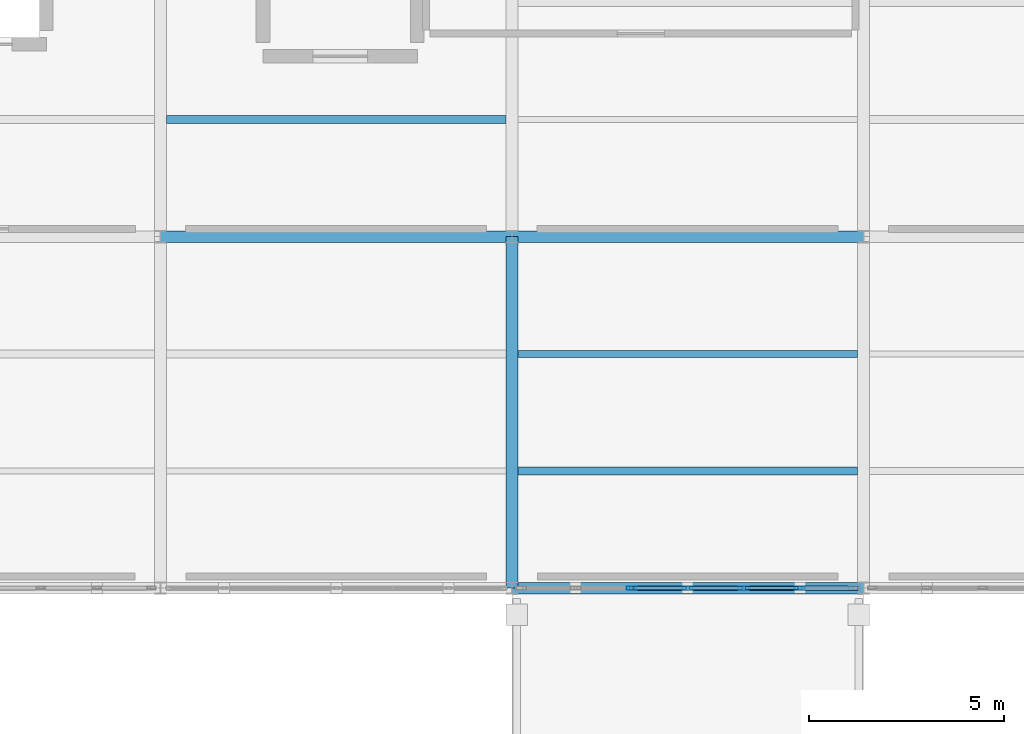
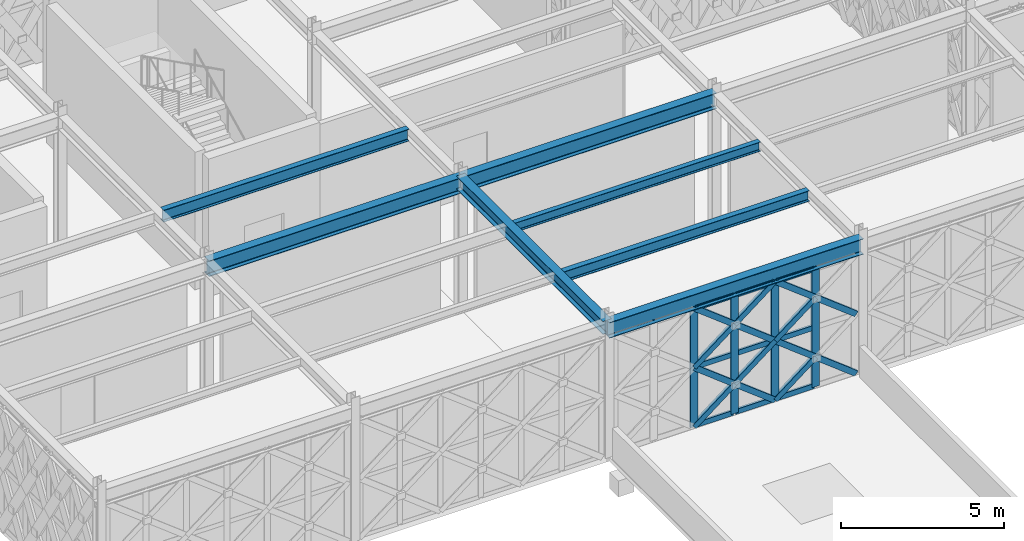
# One storey, part 104 of 155: 23 members, 7 beams, 1 element without a shape of its own.
"""IFC4 building model written with IfcOpenShell, lengths in metres."""

from ifc_helpers import new_model, si_unit, direction, frame, origin, origin_2d, place, context, subcontext, project, spatial, hollow_rectangle, i_section, extrude, material, material_profile, profile_set, type_object, element, aggregate, save


model = new_model("IFC4")

# Units and contexts
model_context = context("Model", 3, precision=1e-05, world=origin(), true_north=direction((0.0, 1.0)))
body_context = subcontext(model_context, "Body", "Model", "MODEL_VIEW")
ifc_project = project(units=[si_unit("LENGTHUNIT", "METRE"), si_unit("AREAUNIT", "SQUARE_METRE"), si_unit("VOLUMEUNIT", "CUBIC_METRE"), si_unit("PLANEANGLEUNIT", "RADIAN"), si_unit("MASSUNIT", "GRAM", prefix="KILO")], contexts=[model_context])

# Site, building, storey
site_placement = place(None, origin())
site = spatial("IfcSite", under=ifc_project, at=site_placement, CompositionType="ELEMENT")
building_placement = place(site_placement, origin())
building = spatial("IfcBuilding", under=site, at=building_placement, Name="Haizhuo Lancet Aquarium", CompositionType="ELEMENT")
storey_placement = place(building_placement, frame((0.0, 0.0, 10.800048828125)))
storey = spatial("IfcBuildingStorey", under=building, at=storey_placement, Name="L02", CompositionType="ELEMENT", Elevation=10.800048828125)

# Beams
ifc_material_1 = material(Name="Steel S355", Category="steel")
ifc_material_profile_1 = material_profile(ifc_material_1, i_section(OverallWidth=0.300048828125, OverallDepth=0.488037109375, WebThickness=0.010986328125, FlangeThickness=0.01806640625, FilletRadius=0.02392578125, at=origin_2d()), Name="HM 488x300x11x18")
ifc_profile_set_1 = profile_set([ifc_material_profile_1], Name="Steel S355")
beam_type_1 = type_object("IfcBeamType", Name="BM-ST-HM488", PredefinedType="BEAM", material=ifc_profile_set_1)
beam_1_placement = place(storey_placement, frame((54.0, 9.0, 4.805908203125), z_axis=(0.0, 1.0, 0.0), x_axis=(-1.0, 0.0, 0.0)))
element("IfcBeam", 1, at=beam_1_placement, inside=storey, type_object=beam_type_1, Name="L02 V7 primary girder BM-L02-V7-014", PredefinedType="BEAM", context=body_context, shape_type="SweptSolid", body=[
    extrude(i_section(OverallWidth=0.300048828125, OverallDepth=0.488037109375, WebThickness=0.010986328125, FlangeThickness=0.01806640625, FilletRadius=0.02392578125, at=origin_2d()), origin(), (0.0, 0.0, 1.0), 9.0),
])
ifc_material_profile_2 = material_profile(ifc_material_1, i_section(OverallWidth=0.300048828125, OverallDepth=0.587890625, WebThickness=0.011962890625, FlangeThickness=0.02001953125, FilletRadius=0.02587890625, at=origin_2d()), Name="HM 588x300x12x20")
ifc_profile_set_2 = profile_set([ifc_material_profile_2], Name="Steel S355")
beam_type_2 = type_object("IfcBeamType", Name="BM-ST-HM588", PredefinedType="BEAM", material=ifc_profile_set_2)
for number, where, z_axis, x_axis, name in (
    (2, (45.0, 18.0, 4.755859375), (1.0, 0.0, 0.0), (0.0, 1.0, 0.0), "L02 V7 primary girder BM-L02-V7-011"),
    (3, (54.0, 9.0, 4.755859375), (1.0, 0.0, 0.0), (0.0, 1.0, 0.0), "L02 V7 primary girder BM-L02-V7-015"),
    (4, (54.0, 18.0, 4.755859375), (1.0, 0.0, 0.0), (0.0, 1.0, 0.0), "L02 V7 primary girder BM-L02-V7-017"),
):
    element("IfcBeam", number, at=place(storey_placement, frame(where, z_axis=z_axis, x_axis=x_axis)), inside=storey, type_object=beam_type_2, Name=name, PredefinedType="BEAM", context=body_context, shape_type="SweptSolid", body=[
        extrude(i_section(OverallWidth=0.300048828125, OverallDepth=0.587890625, WebThickness=0.011962890625, FlangeThickness=0.02001953125, FilletRadius=0.02587890625, at=origin_2d()), origin(), (0.0, 0.0, 1.0), 9.0),
    ])

# Curtain wall, members
ifc_material_2 = material(Name="Aluminium 6063-T6", Category="aluminium")
curtain_wall_type = type_object("IfcCurtainWallType", Name="CWO-8610x4460", PredefinedType="NOTDEFINED", material=ifc_material_2)
curtain_wall_placement = place(storey_placement, origin())
curtain_wall = element("IfcCurtainWall", 5, at=curtain_wall_placement, inside=storey, type_object=curtain_wall_type, Name="L02 curtain wall CW-V7-L02-306", PredefinedType="NOTDEFINED")
ifc_material_profile_3 = material_profile(ifc_material_2, hollow_rectangle(XDim=0.080078125, YDim=0.260009765625, WallThickness=0.0048828125, at=origin_2d()), Name="ALU-M 80x260x5")
ifc_profile_set_3 = profile_set([ifc_material_profile_3], Name="Aluminium 6063-T6")
member_type_1 = type_object("IfcMemberType", Name="CW-MUL-3", PredefinedType="MULLION", material=ifc_profile_set_3)
member_1_placement = place(storey_placement, frame((61.3701171875, 9.0, 0.0), z_axis=(0.0, 0.0, 1.0), x_axis=(0.0, -1.0, 0.0)))
member_1 = element("IfcMember", 6, at=member_1_placement, type_object=member_type_1, Name="CWO-86x44 mullion 2", PredefinedType="MULLION", context=body_context, shape_type="SweptSolid", body=[
    extrude(hollow_rectangle(XDim=0.080078125, YDim=0.260009765625, WallThickness=0.0048828125, at=origin_2d()), origin(), (0.0, 0.0, 1.0), 4.4619140625),
])
member_2_placement = place(storey_placement, frame((59.93505859375, 9.0, 0.0), z_axis=(0.0, 0.0, 1.0), x_axis=(0.0, -1.0, 0.0)))
member_2 = element("IfcMember", 7, at=member_2_placement, type_object=member_type_1, Name="CWO-86x44 mullion 3", PredefinedType="MULLION", context=body_context, shape_type="SweptSolid", body=[
    extrude(hollow_rectangle(XDim=0.080078125, YDim=0.260009765625, WallThickness=0.0048828125, at=origin_2d()), origin(), (0.0, 0.0, 1.0), 4.4619140625),
])
member_3_placement = place(storey_placement, frame((58.5, 9.0, 0.0), z_axis=(0.0, 0.0, 1.0), x_axis=(0.0, -1.0, 0.0)))
member_3 = element("IfcMember", 8, at=member_3_placement, type_object=member_type_1, Name="CWO-86x44 mullion 4", PredefinedType="MULLION", context=body_context, shape_type="SweptSolid", body=[
    extrude(hollow_rectangle(XDim=0.080078125, YDim=0.260009765625, WallThickness=0.0048828125, at=origin_2d()), origin(), (0.0, 0.0, 1.0), 4.4619140625),
])
member_4_placement = place(storey_placement, frame((57.06494140625, 9.0, 0.0), z_axis=(0.0, 0.0, 1.0), x_axis=(0.0, -1.0, 0.0)))
member_4 = element("IfcMember", 9, at=member_4_placement, type_object=member_type_1, Name="CWO-86x44 mullion 5", PredefinedType="MULLION", context=body_context, shape_type="SweptSolid", body=[
    extrude(hollow_rectangle(XDim=0.080078125, YDim=0.260009765625, WallThickness=0.0048828125, at=origin_2d()), origin(), (0.0, 0.0, 1.0), 4.4619140625),
])
ifc_material_profile_4 = material_profile(ifc_material_2, hollow_rectangle(XDim=0.080078125, YDim=0.18994140625, WallThickness=0.0048828125, at=origin_2d()), Name="ALU-T 80x190x5")
ifc_profile_set_4 = profile_set([ifc_material_profile_4], Name="Aluminium 6063-T6")
member_type_2 = type_object("IfcMemberType", Name="CW-TRN-3", PredefinedType="NOTDEFINED", material=ifc_profile_set_4)
member_5_placement = place(storey_placement, frame((61.330078125, 9.0, 0.0400390625), z_axis=(-1.0, 0.0, 0.0), x_axis=(0.0, -1.0, 0.0)))
member_5 = element("IfcMember", 10, at=member_5_placement, type_object=member_type_2, Name="CWO-86x44 transom 2.1", ObjectType="TRANSOM", PredefinedType="USERDEFINED", context=body_context, shape_type="SweptSolid", body=[
    extrude(hollow_rectangle(XDim=0.080078125, YDim=0.18994140625, WallThickness=0.0048828125, at=origin_2d()), origin(), (0.0, 0.0, 1.0), 1.35498046875),
])
member_6_placement = place(storey_placement, frame((61.330078125, 9.0, 2.23095703125), z_axis=(-1.0, 0.0, 0.0), x_axis=(0.0, -1.0, 0.0)))
member_6 = element("IfcMember", 11, at=member_6_placement, type_object=member_type_2, Name="CWO-86x44 transom 2.2", ObjectType="TRANSOM", PredefinedType="USERDEFINED", context=body_context, shape_type="SweptSolid", body=[
    extrude(hollow_rectangle(XDim=0.080078125, YDim=0.18994140625, WallThickness=0.0048828125, at=origin_2d()), origin(), (0.0, 0.0, 1.0), 1.35498046875),
])
member_7_placement = place(storey_placement, frame((61.330078125, 9.0, 4.421875), z_axis=(-1.0, 0.0, 0.0), x_axis=(0.0, -1.0, 0.0)))
member_7 = element("IfcMember", 12, at=member_7_placement, type_object=member_type_2, Name="CWO-86x44 transom 2.3", ObjectType="TRANSOM", PredefinedType="USERDEFINED", context=body_context, shape_type="SweptSolid", body=[
    extrude(hollow_rectangle(XDim=0.080078125, YDim=0.18994140625, WallThickness=0.0048828125, at=origin_2d()), origin(), (0.0, 0.0, 1.0), 1.35498046875),
])
member_8_placement = place(storey_placement, frame((59.89501953125, 9.0, 0.0400390625), z_axis=(-1.0, 0.0, 0.0), x_axis=(0.0, -1.0, 0.0)))
member_8 = element("IfcMember", 13, at=member_8_placement, type_object=member_type_2, Name="CWO-86x44 transom 3.1", ObjectType="TRANSOM", PredefinedType="USERDEFINED", context=body_context, shape_type="SweptSolid", body=[
    extrude(hollow_rectangle(XDim=0.080078125, YDim=0.18994140625, WallThickness=0.0048828125, at=origin_2d()), origin(), (0.0, 0.0, 1.0), 1.35498046875),
])
member_9_placement = place(storey_placement, frame((59.89501953125, 9.0, 2.23095703125), z_axis=(-1.0, 0.0, 0.0), x_axis=(0.0, -1.0, 0.0)))
member_9 = element("IfcMember", 14, at=member_9_placement, type_object=member_type_2, Name="CWO-86x44 transom 3.2", ObjectType="TRANSOM", PredefinedType="USERDEFINED", context=body_context, shape_type="SweptSolid", body=[
    extrude(hollow_rectangle(XDim=0.080078125, YDim=0.18994140625, WallThickness=0.0048828125, at=origin_2d()), origin(), (0.0, 0.0, 1.0), 1.35498046875),
])
member_10_placement = place(storey_placement, frame((59.89501953125, 9.0, 4.421875), z_axis=(-1.0, 0.0, 0.0), x_axis=(0.0, -1.0, 0.0)))
member_10 = element("IfcMember", 15, at=member_10_placement, type_object=member_type_2, Name="CWO-86x44 transom 3.3", ObjectType="TRANSOM", PredefinedType="USERDEFINED", context=body_context, shape_type="SweptSolid", body=[
    extrude(hollow_rectangle(XDim=0.080078125, YDim=0.18994140625, WallThickness=0.0048828125, at=origin_2d()), origin(), (0.0, 0.0, 1.0), 1.35498046875),
])
member_11_placement = place(storey_placement, frame((58.4599609375, 9.0, 0.0400390625), z_axis=(-1.0, 0.0, 0.0), x_axis=(0.0, -1.0, 0.0)))
member_11 = element("IfcMember", 16, at=member_11_placement, type_object=member_type_2, Name="CWO-86x44 transom 4.1", ObjectType="TRANSOM", PredefinedType="USERDEFINED", context=body_context, shape_type="SweptSolid", body=[
    extrude(hollow_rectangle(XDim=0.080078125, YDim=0.18994140625, WallThickness=0.0048828125, at=origin_2d()), origin(), (0.0, 0.0, 1.0), 1.35498046875),
])
member_12_placement = place(storey_placement, frame((58.4599609375, 9.0, 2.23095703125), z_axis=(-1.0, 0.0, 0.0), x_axis=(0.0, -1.0, 0.0)))
member_12 = element("IfcMember", 17, at=member_12_placement, type_object=member_type_2, Name="CWO-86x44 transom 4.2", ObjectType="TRANSOM", PredefinedType="USERDEFINED", context=body_context, shape_type="SweptSolid", body=[
    extrude(hollow_rectangle(XDim=0.080078125, YDim=0.18994140625, WallThickness=0.0048828125, at=origin_2d()), origin(), (0.0, 0.0, 1.0), 1.35498046875),
])
member_13_placement = place(storey_placement, frame((58.4599609375, 9.0, 4.421875), z_axis=(-1.0, 0.0, 0.0), x_axis=(0.0, -1.0, 0.0)))
member_13 = element("IfcMember", 18, at=member_13_placement, type_object=member_type_2, Name="CWO-86x44 transom 4.3", ObjectType="TRANSOM", PredefinedType="USERDEFINED", context=body_context, shape_type="SweptSolid", body=[
    extrude(hollow_rectangle(XDim=0.080078125, YDim=0.18994140625, WallThickness=0.0048828125, at=origin_2d()), origin(), (0.0, 0.0, 1.0), 1.35498046875),
])
aggregate(curtain_wall, [member_1, member_2, member_3, member_4, member_5, member_6, member_7, member_8, member_9, member_10, member_11, member_12, member_13])

# Beams
ifc_material_profile_5 = material_profile(ifc_material_1, i_section(OverallWidth=0.175048828125, OverallDepth=0.35009765625, WebThickness=0.007080078125, FlangeThickness=0.010986328125, FilletRadius=0.013916015625, at=origin_2d()), Name="HN 350x175x7x11")
ifc_profile_set_5 = profile_set([ifc_material_profile_5], Name="Steel S355")
beam_type_3 = type_object("IfcBeamType", Name="JST-ST-HN350", PredefinedType="JOIST", material=ifc_profile_set_5)
beam_2_placement = place(storey_placement, frame((54.14990234375, 15.0, 4.875), z_axis=(1.0, 0.0, 0.0), x_axis=(0.0, 1.0, 0.0)))
element("IfcBeam", 19, at=beam_2_placement, inside=storey, type_object=beam_type_3, Name="L02 V7 secondary floor joist 10", PredefinedType="JOIST", context=body_context, shape_type="SweptSolid", body=[
    extrude(i_section(OverallWidth=0.175048828125, OverallDepth=0.35009765625, WebThickness=0.007080078125, FlangeThickness=0.010986328125, FilletRadius=0.013916015625, at=origin_2d()), origin(), (0.0, 0.0, 1.0), 8.7001953125),
])
ifc_material_profile_6 = material_profile(ifc_material_1, i_section(OverallWidth=0.199951171875, OverallDepth=0.39990234375, WebThickness=0.008056640625, FlangeThickness=0.012939453125, FilletRadius=0.01611328125, at=origin_2d()), Name="HN 400x200x8x13")
ifc_profile_set_6 = profile_set([ifc_material_profile_6], Name="Steel S355")
beam_type_4 = type_object("IfcBeamType", Name="JST-ST-HN400", PredefinedType="JOIST", material=ifc_profile_set_6)
beam_3_placement = place(storey_placement, frame((54.14990234375, 12.0, 4.849853515625), z_axis=(1.0, 0.0, 0.0), x_axis=(0.0, 1.0, 0.0)))
element("IfcBeam", 20, at=beam_3_placement, inside=storey, type_object=beam_type_4, Name="L02 V7 secondary floor joist 9", PredefinedType="JOIST", context=body_context, shape_type="SweptSolid", body=[
    extrude(i_section(OverallWidth=0.199951171875, OverallDepth=0.39990234375, WebThickness=0.008056640625, FlangeThickness=0.012939453125, FilletRadius=0.01611328125, at=origin_2d()), origin(), (0.0, 0.0, 1.0), 8.7001953125),
])
ifc_material_profile_7 = material_profile(ifc_material_1, i_section(OverallWidth=0.199951171875, OverallDepth=0.449951171875, WebThickness=0.009033203125, FlangeThickness=0.013916015625, FilletRadius=0.01806640625, at=origin_2d()), Name="HN 450x200x9x14")
ifc_profile_set_7 = profile_set([ifc_material_profile_7], Name="Steel S355")
beam_type_5 = type_object("IfcBeamType", Name="JST-ST-HN450", PredefinedType="JOIST", material=ifc_profile_set_7)
beam_4_placement = place(storey_placement, frame((45.14990234375, 21.0, 4.824951171875), z_axis=(1.0, 0.0, 0.0), x_axis=(0.0, 1.0, 0.0)))
element("IfcBeam", 21, at=beam_4_placement, inside=storey, type_object=beam_type_5, Name="L02 V7 secondary floor joist 8", PredefinedType="JOIST", context=body_context, shape_type="SweptSolid", body=[
    extrude(i_section(OverallWidth=0.199951171875, OverallDepth=0.449951171875, WebThickness=0.009033203125, FlangeThickness=0.013916015625, FilletRadius=0.01806640625, at=origin_2d()), origin(), (0.0, 0.0, 1.0), 8.7001953125),
])

# Members
ifc_material_profile_8 = material_profile(ifc_material_1, hollow_rectangle(XDim=0.1201171875, YDim=0.199951171875, WallThickness=0.008056640625, at=origin_2d()), Name="RHS 120x200x8")
ifc_profile_set_8 = profile_set([ifc_material_profile_8], Name="Steel S355")
member_type_3 = type_object("IfcMemberType", Name="MEM-LB-RHS120x200", PredefinedType="BRACE", material=ifc_profile_set_8)
member_14_placement = place(storey_placement, frame((62.804931640625, 9.0, 0.0), z_axis=(-0.789507701538, 0.0, 0.613740653055), x_axis=(0.0, -1.0, 0.0)))
element("IfcMember", 22, at=member_14_placement, inside=storey, type_object=member_type_3, Name="Gothic lancet continuous diagonal brace CW-V7-L02-306 1A", PredefinedType="BRACE", context=body_context, shape_type="SweptSolid", body=[
    extrude(hollow_rectangle(XDim=0.1201171875, YDim=0.199951171875, WallThickness=0.008056640625, at=origin_2d()), origin(), (0.0, 0.0, 1.0), 3.635009765625),
])
member_15_placement = place(storey_placement, frame((59.93505859375, 9.0, 0.0), z_axis=(0.789402834657, 0.0, 0.613875528618), x_axis=(0.0, 1.0, 0.0)))
element("IfcMember", 23, at=member_15_placement, inside=storey, type_object=member_type_3, Name="Gothic lancet split diagonal brace CW-V7-L02-306 1B1", PredefinedType="BRACE", context=body_context, shape_type="SweptSolid", body=[
    extrude(hollow_rectangle(XDim=0.1201171875, YDim=0.199951171875, WallThickness=0.008056640625, at=origin_2d()), origin(), (0.0, 0.0, 1.0), 1.81787109375),
])
member_16_placement = place(storey_placement, frame((62.804931640625, 9.0, 2.23095703125), z_axis=(-0.789507701538, 0.0, 0.613740653055), x_axis=(0.0, -1.0, 0.0)))
element("IfcMember", 24, at=member_16_placement, inside=storey, type_object=member_type_3, Name="Gothic lancet continuous diagonal brace CW-V7-L02-306 2A", PredefinedType="BRACE", context=body_context, shape_type="SweptSolid", body=[
    extrude(hollow_rectangle(XDim=0.1201171875, YDim=0.199951171875, WallThickness=0.008056640625, at=origin_2d()), origin(), (0.0, 0.0, 1.0), 3.635009765625),
])
member_17_placement = place(storey_placement, frame((59.93505859375, 9.0, 2.23095703125), z_axis=(0.789663169817, 0.0, 0.613540608464), x_axis=(0.0, 1.0, 0.0)))
element("IfcMember", 25, at=member_17_placement, inside=storey, type_object=member_type_3, Name="Gothic lancet split diagonal brace CW-V7-L02-306 2B1", PredefinedType="BRACE", context=body_context, shape_type="SweptSolid", body=[
    extrude(hollow_rectangle(XDim=0.1201171875, YDim=0.199951171875, WallThickness=0.008056640625, at=origin_2d()), origin(), (0.0, 0.0, 1.0), 1.8173828125),
])
member_18_placement = place(storey_placement, frame((59.93505859375, 9.0, 0.0), z_axis=(-0.789532998536, 0.0, 0.613708109954), x_axis=(0.0, -1.0, 0.0)))
element("IfcMember", 26, at=member_18_placement, inside=storey, type_object=member_type_3, Name="Gothic lancet continuous diagonal brace CW-V7-L02-306 3A", PredefinedType="BRACE", context=body_context, shape_type="SweptSolid", body=[
    extrude(hollow_rectangle(XDim=0.1201171875, YDim=0.199951171875, WallThickness=0.008056640625, at=origin_2d()), origin(), (0.0, 0.0, 1.0), 3.63525390625),
])
member_19_placement = place(storey_placement, frame((57.06494140625, 9.0, 0.0), z_axis=(0.789402834657, 0.0, 0.613875528618), x_axis=(0.0, 1.0, 0.0)))
element("IfcMember", 27, at=member_19_placement, inside=storey, type_object=member_type_3, Name="Gothic lancet split diagonal brace CW-V7-L02-306 3B1", PredefinedType="BRACE", context=body_context, shape_type="SweptSolid", body=[
    extrude(hollow_rectangle(XDim=0.1201171875, YDim=0.199951171875, WallThickness=0.008056640625, at=origin_2d()), origin(), (0.0, 0.0, 1.0), 1.81787109375),
])
member_20_placement = place(storey_placement, frame((58.5, 9.0, 1.115966796875), z_axis=(0.789663169817, 0.0, 0.613540608464), x_axis=(0.0, 1.0, 0.0)))
element("IfcMember", 28, at=member_20_placement, inside=storey, type_object=member_type_3, Name="Gothic lancet split diagonal brace CW-V7-L02-306 3B2", PredefinedType="BRACE", context=body_context, shape_type="SweptSolid", body=[
    extrude(hollow_rectangle(XDim=0.1201171875, YDim=0.199951171875, WallThickness=0.008056640625, at=origin_2d()), origin(), (0.0, 0.0, 1.0), 1.8173828125),
])
member_21_placement = place(storey_placement, frame((59.93505859375, 9.0, 2.23095703125), z_axis=(-0.789532998536, 0.0, 0.613708109954), x_axis=(0.0, -1.0, 0.0)))
element("IfcMember", 29, at=member_21_placement, inside=storey, type_object=member_type_3, Name="Gothic lancet continuous diagonal brace CW-V7-L02-306 4A", PredefinedType="BRACE", context=body_context, shape_type="SweptSolid", body=[
    extrude(hollow_rectangle(XDim=0.1201171875, YDim=0.199951171875, WallThickness=0.008056640625, at=origin_2d()), origin(), (0.0, 0.0, 1.0), 3.63525390625),
])
member_22_placement = place(storey_placement, frame((57.06494140625, 9.0, 2.23095703125), z_axis=(0.789663169817, 0.0, 0.613540608464), x_axis=(0.0, 1.0, 0.0)))
element("IfcMember", 30, at=member_22_placement, inside=storey, type_object=member_type_3, Name="Gothic lancet split diagonal brace CW-V7-L02-306 4B1", PredefinedType="BRACE", context=body_context, shape_type="SweptSolid", body=[
    extrude(hollow_rectangle(XDim=0.1201171875, YDim=0.199951171875, WallThickness=0.008056640625, at=origin_2d()), origin(), (0.0, 0.0, 1.0), 1.8173828125),
])
member_23_placement = place(storey_placement, frame((58.5, 9.0, 3.345947265625), z_axis=(0.789402834657, 0.0, 0.613875528618), x_axis=(0.0, 1.0, 0.0)))
element("IfcMember", 31, at=member_23_placement, inside=storey, type_object=member_type_3, Name="Gothic lancet split diagonal brace CW-V7-L02-306 4B2", PredefinedType="BRACE", context=body_context, shape_type="SweptSolid", body=[
    extrude(hollow_rectangle(XDim=0.1201171875, YDim=0.199951171875, WallThickness=0.008056640625, at=origin_2d()), origin(), (0.0, 0.0, 1.0), 1.81787109375),
])

save(model, "model.ifc")
